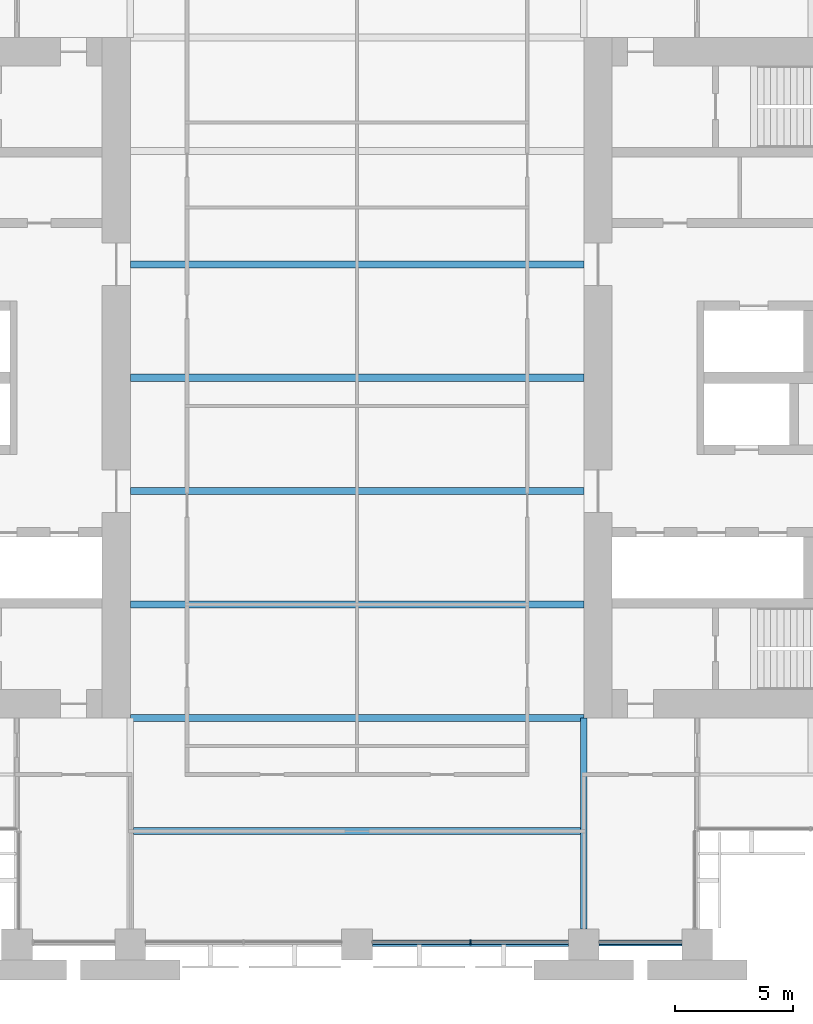
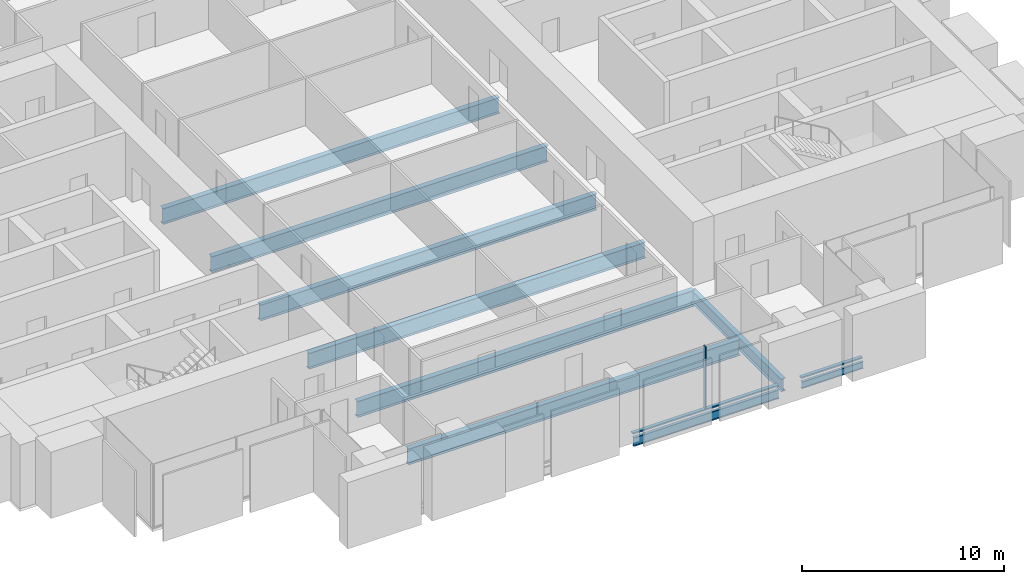
# One storey, part 3 of 14: 9 beams, 3 members, 1 element without a shape of its own.
"""IFC4 building model written with IfcOpenShell, lengths in metres."""

from ifc_helpers import new_model, si_unit, direction, frame, origin, origin_2d, place, context, subcontext, project, spatial, rectangle, i_section, extrude, material, material_profile, profile_set, type_object, element, aggregate, save


model = new_model("IFC4")

# Units and contexts
model_context = context("Model", 3, precision=1e-05, world=origin(), true_north=direction((0.0, 1.0)))
body_context = subcontext(model_context, "Body", "Model", "MODEL_VIEW")
ifc_project = project(units=[si_unit("LENGTHUNIT", "METRE"), si_unit("AREAUNIT", "SQUARE_METRE"), si_unit("VOLUMEUNIT", "CUBIC_METRE"), si_unit("PLANEANGLEUNIT", "RADIAN"), si_unit("MASSUNIT", "GRAM", prefix="KILO")], contexts=[model_context])

# Site, building, storey
site_placement = place(None, origin())
site = spatial("IfcSite", under=ifc_project, at=site_placement, CompositionType="ELEMENT")
building_placement = place(site_placement, origin())
building = spatial("IfcBuilding", under=site, at=building_placement, Name="Baori Bourse Tower", CompositionType="ELEMENT")
storey_placement = place(building_placement, frame((0.0, 0.0, 79.0)))
storey = spatial("IfcBuildingStorey", under=building, at=storey_placement, Name="L17", CompositionType="ELEMENT", Elevation=79.0)

# Curtain wall, members
ifc_material_1 = material(Name="Pale anodised aluminium", Category="aluminium")
curtain_wall_type = type_object("IfcCurtainWallType", Name="CW1 Curtain wall", PredefinedType="NOTDEFINED", material=ifc_material_1)
curtain_wall_placement = place(storey_placement, origin())
curtain_wall = element("IfcCurtainWall", 1, at=curtain_wall_placement, inside=storey, type_object=curtain_wall_type, Name="Curtain wall CW1 L17 11", PredefinedType="NOTDEFINED")
ifc_material_2 = material(Name="Pale anodised aluminium", Category="aluminium")
ifc_material_profile_1 = material_profile(ifc_material_2, rectangle(XDim=0.199951171875, YDim=0.06005859375, at=origin_2d()), Name="Mullion 60x200")
ifc_profile_set_1 = profile_set([ifc_material_profile_1], Name="Pale anodised aluminium")
member_type_1 = type_object("IfcMemberType", Name="CW1 Curtain wall mullion", PredefinedType="MULLION", material=ifc_profile_set_1)
member_1_placement = place(storey_placement, frame((33.60009765625, 0.10009765625, 0.080078125), z_axis=(0.0, 0.0, 1.0), x_axis=(0.0, 1.0, 0.0)))
member_1 = element("IfcMember", 2, at=member_1_placement, type_object=member_type_1, Name="Curtain wall CW1 mullion", PredefinedType="MULLION", context=body_context, shape_type="SweptSolid", body=[
    extrude(rectangle(XDim=0.199951171875, YDim=0.06005859375, at=origin_2d()), origin(), (0.0, 0.0, 1.0), 3.760009765625),
])
ifc_material_3 = material(Name="Pale anodised aluminium", Category="aluminium")
ifc_material_profile_2 = material_profile(ifc_material_3, rectangle(XDim=0.199951171875, YDim=0.080078125, at=origin_2d()), Name="Transom 80x200")
ifc_profile_set_2 = profile_set([ifc_material_profile_2], Name="Pale anodised aluminium")
member_type_2 = type_object("IfcMemberType", Name="CW1 Curtain wall transom", PredefinedType="USERDEFINED", material=ifc_profile_set_2)
member_2_placement = place(storey_placement, frame((29.449951171875, 0.10009765625, 0.0400390625), z_axis=(1.0, 0.0, 0.0), x_axis=(0.0, 1.0, 0.0)))
member_2 = element("IfcMember", 3, at=member_2_placement, type_object=member_type_2, Name="Curtain wall CW1 sill rail", ObjectType="TRANSOM", PredefinedType="USERDEFINED", context=body_context, shape_type="SweptSolid", body=[
    extrude(rectangle(XDim=0.199951171875, YDim=0.080078125, at=origin_2d()), origin(), (0.0, 0.0, 1.0), 8.300048828125),
])
member_3_placement = place(storey_placement, frame((39.050048828125, 0.10009765625, 0.0400390625), z_axis=(1.0, 0.0, 0.0), x_axis=(0.0, 1.0, 0.0)))
member_3 = element("IfcMember", 4, at=member_3_placement, type_object=member_type_2, Name="Curtain wall CW1 sill rail", ObjectType="TRANSOM", PredefinedType="USERDEFINED", context=body_context, shape_type="SweptSolid", body=[
    extrude(rectangle(XDim=0.199951171875, YDim=0.080078125, at=origin_2d()), origin(), (0.0, 0.0, 1.0), 3.5),
])
aggregate(curtain_wall, [member_2, member_1, member_3])

# Beams
ifc_material_4 = material(Name="Steel A992 Gr 50", Category="steel")
ifc_material_profile_3 = material_profile(ifc_material_4, i_section(OverallWidth=0.140380859375, OverallDepth=0.40380859375, WebThickness=0.007080078125, FlangeThickness=0.01123046875, at=origin_2d()), Name="W16x31")
ifc_profile_set_3 = profile_set([ifc_material_profile_3], Name="Steel A992 Gr 50")
beam_type_1 = type_object("IfcBeamType", Name="Edge beam W16x31", PredefinedType="BEAM", material=ifc_profile_set_3)
beam_1_placement = place(storey_placement, frame((39.050048828125, 0.0, -0.36181640625), z_axis=(1.0, 0.0, 0.0), x_axis=(0.0, 1.0, 0.0)))
element("IfcBeam", 5, at=beam_1_placement, inside=storey, type_object=beam_type_1, Name="Edge beam L17", PredefinedType="BEAM", context=body_context, shape_type="SweptSolid", body=[
    extrude(i_section(OverallWidth=0.140380859375, OverallDepth=0.40380859375, WebThickness=0.007080078125, FlangeThickness=0.01123046875, at=origin_2d()), origin(), (0.0, 0.0, 1.0), 3.5),
])
ifc_material_5 = material(Name="Steel A992 Gr 50", Category="steel")
ifc_material_profile_4 = material_profile(ifc_material_5, i_section(OverallWidth=0.1650390625, OverallDepth=0.52587890625, WebThickness=0.0087890625, FlangeThickness=0.011474609375, at=origin_2d()), Name="W21x44")
ifc_profile_set_4 = profile_set([ifc_material_profile_4], Name="Steel A992 Gr 50")
beam_type_2 = type_object("IfcBeamType", Name="Edge beam W21x44", PredefinedType="BEAM", material=ifc_profile_set_4)
beam_2_placement = place(storey_placement, frame((29.449951171875, 0.0, -0.4228515625), z_axis=(1.0, 0.0, 0.0), x_axis=(0.0, 1.0, 0.0)))
element("IfcBeam", 6, at=beam_2_placement, inside=storey, type_object=beam_type_2, Name="Edge beam L17", PredefinedType="BEAM", context=body_context, shape_type="SweptSolid", body=[
    extrude(i_section(OverallWidth=0.1650390625, OverallDepth=0.52587890625, WebThickness=0.0087890625, FlangeThickness=0.011474609375, at=origin_2d()), origin(), (0.0, 0.0, 1.0), 8.300048828125),
])
ifc_material_6 = material(Name="Steel A992 Gr 50", Category="steel")
ifc_material_profile_5 = material_profile(ifc_material_6, i_section(OverallWidth=0.2998046875, OverallDepth=0.97021484375, WebThickness=0.01611328125, FlangeThickness=0.02099609375, at=origin_2d()), Name="W40x149")
ifc_profile_set_5 = profile_set([ifc_material_profile_5], Name="Steel A992 Gr 50")
beam_type_3 = type_object("IfcBeamType", Name="Floor beam W40x149", PredefinedType="BEAM", material=ifc_profile_set_5)
beam_3_placement = place(storey_placement, frame((19.333251953125, 4.800048828125, -0.64501953125), z_axis=(1.0, 0.0, 0.0), x_axis=(0.0, 1.0, 0.0)))
element("IfcBeam", 7, at=beam_3_placement, inside=storey, type_object=beam_type_3, Name="Floor beam L17", PredefinedType="BEAM", context=body_context, shape_type="SweptSolid", body=[
    extrude(i_section(OverallWidth=0.2998046875, OverallDepth=0.97021484375, WebThickness=0.01611328125, FlangeThickness=0.02099609375, at=origin_2d()), origin(), (0.0, 0.0, 1.0), 18.933349609375),
])
for number, where, z_axis, x_axis, name in (
    (8, (19.199951171875, 9.60009765625, -0.64501953125), (1.0, 0.0, 0.0), (0.0, 1.0, 0.0), "Floor beam L17"),
    (9, (19.199951171875, 14.39990234375, -0.64501953125), (1.0, 0.0, 0.0), (0.0, 1.0, 0.0), "Floor beam L17"),
    (10, (19.199951171875, 19.199951171875, -0.64501953125), (1.0, 0.0, 0.0), (0.0, 1.0, 0.0), "Floor beam L17"),
    (11, (19.199951171875, 24.0, -0.64501953125), (1.0, 0.0, 0.0), (0.0, 1.0, 0.0), "Floor beam L17"),
    (12, (19.199951171875, 28.800048828125, -0.64501953125), (1.0, 0.0, 0.0), (0.0, 1.0, 0.0), "Floor beam L17"),
):
    element("IfcBeam", number, at=place(storey_placement, frame(where, z_axis=z_axis, x_axis=x_axis)), inside=storey, type_object=beam_type_3, Name=name, PredefinedType="BEAM", context=body_context, shape_type="SweptSolid", body=[
        extrude(i_section(OverallWidth=0.2998046875, OverallDepth=0.97021484375, WebThickness=0.01611328125, FlangeThickness=0.02099609375, at=origin_2d()), origin(), (0.0, 0.0, 1.0), 19.199951171875),
    ])
ifc_material_7 = material(Name="Steel A992 Gr 50", Category="steel")
ifc_material_profile_6 = material_profile(ifc_material_7, i_section(OverallWidth=0.2666015625, OverallDepth=0.7568359375, WebThickness=0.013916015625, FlangeThickness=0.019287109375, at=origin_2d()), Name="W30x108")
ifc_profile_set_6 = profile_set([ifc_material_profile_6], Name="Steel A992 Gr 50")
beam_type_4 = type_object("IfcBeamType", Name="Girder W30x108", PredefinedType="BEAM", material=ifc_profile_set_6)
beam_4_placement = place(storey_placement, frame((38.39990234375, 0.64990234375, -0.53857421875), z_axis=(0.0, 1.0, 0.0), x_axis=(-1.0, 0.0, 0.0)))
element("IfcBeam", 13, at=beam_4_placement, inside=storey, type_object=beam_type_4, Name="Girder L17", PredefinedType="BEAM", context=body_context, shape_type="SweptSolid", body=[
    extrude(i_section(OverallWidth=0.2666015625, OverallDepth=0.7568359375, WebThickness=0.013916015625, FlangeThickness=0.019287109375, at=origin_2d()), origin(), (0.0, 0.0, 1.0), 8.9501953125),
])

save(model, "model.ifc")
